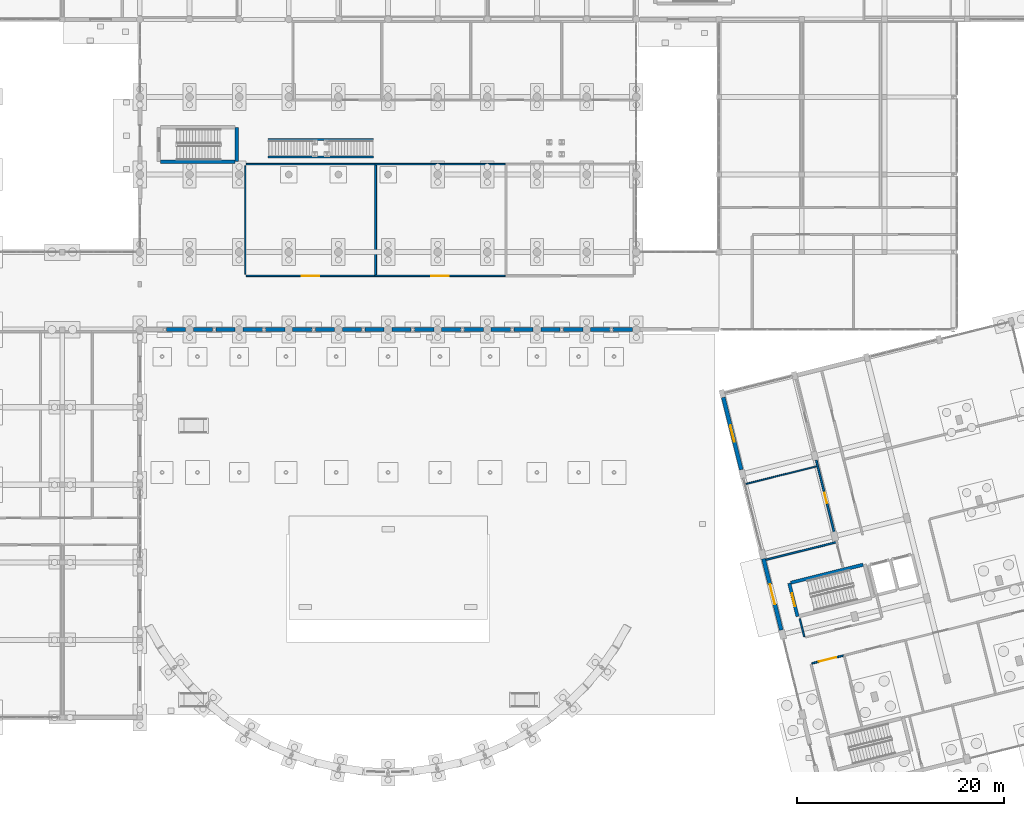
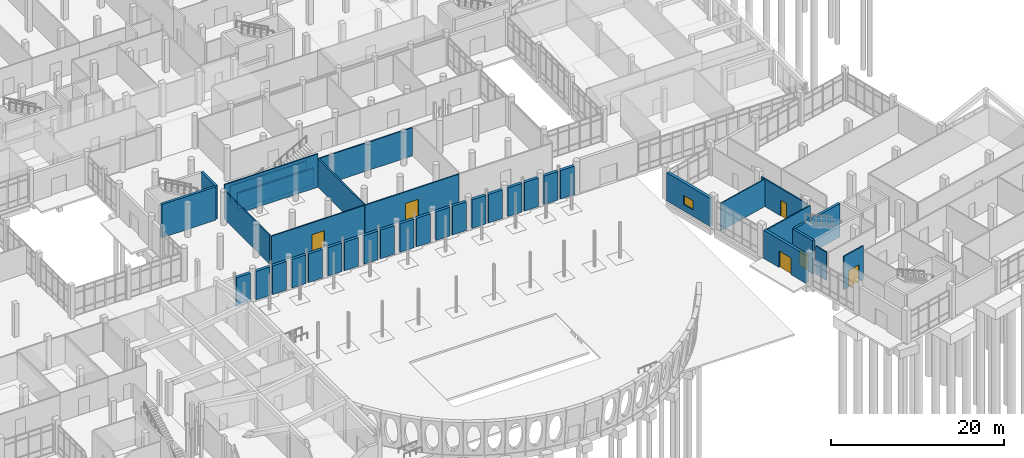
# One storey, part 152 of 173: 38 walls, 6 doors, 1 window, 7 openings.
"""IFC4 building model written with IfcOpenShell, lengths in metres."""

from ifc_helpers import new_model, si_unit, direction, frame, frame_2d, origin, place, context, subcontext, project, spatial, rectangle, extrude, material, layer, layer_set, type_object, element, fill, save


model = new_model("IFC4")

# Units and contexts
model_context = context("Model", 3, precision=1e-05, world=origin(), true_north=direction((0.0, 1.0)))
body_context = subcontext(model_context, "Body", "Model", "MODEL_VIEW")
ifc_project = project(units=[si_unit("LENGTHUNIT", "METRE"), si_unit("AREAUNIT", "SQUARE_METRE"), si_unit("VOLUMEUNIT", "CUBIC_METRE"), si_unit("PLANEANGLEUNIT", "RADIAN"), si_unit("MASSUNIT", "GRAM", prefix="KILO")], contexts=[model_context])

# Site, building, storey
site_placement = place(None, origin())
site = spatial("IfcSite", under=ifc_project, at=site_placement, CompositionType="ELEMENT")
building_placement = place(site_placement, origin())
building = spatial("IfcBuilding", under=site, at=building_placement, Name="Mawjan Specialist Oncology Clinic", CompositionType="ELEMENT")
storey_placement = place(building_placement, origin())
storey = spatial("IfcBuildingStorey", under=building, at=storey_placement, Name="L00", CompositionType="ELEMENT", Elevation=0.0)

# Walls
ifc_material_1 = material(Name="Precast concrete C40/50", Category="concrete")
ifc_layer_1 = layer(ifc_material_1, 0.3798828125, Name="Precast concrete C40/50", Category="concrete")
ifc_layer_set_1 = layer_set([ifc_layer_1], Name="Precast concrete C40/50")
wall_type_1 = type_object("IfcWallType", Name="EW-380", PredefinedType="SOLIDWALL", material=ifc_layer_set_1)
for number, where, z_axis, x_axis, name in (
    (1, (107.625, 45.800048828125, 0.0), (0.0, 0.0, 1.0), (-1.0, 0.0, 0.0), "L00 Coral-Limestone Exterior Wall EW-L00-035"),
    (2, (105.43798828125, 45.800048828125, 0.0), (0.0, 0.0, 1.0), (-1.0, 0.0, 0.0), "L00 Coral-Limestone Exterior Wall EW-L00-036"),
    (3, (102.824951171875, 45.800048828125, 0.0), (0.0, 0.0, 1.0), (-1.0, 0.0, 0.0), "L00 Coral-Limestone Exterior Wall EW-L00-037"),
    (4, (100.637939453125, 45.800048828125, 0.0), (0.0, 0.0, 1.0), (-1.0, 0.0, 0.0), "L00 Coral-Limestone Exterior Wall EW-L00-038"),
):
    element("IfcWall", number, at=place(storey_placement, frame(where, z_axis=z_axis, x_axis=x_axis)), inside=storey, type_object=wall_type_1, Name=name, PredefinedType="SOLIDWALL", context=body_context, shape_type="SweptSolid", body=[
        extrude(rectangle(XDim=1.863037109375, YDim=0.3798828125, at=frame_2d((0.931640625, 0.0))), origin(), (0.0, 0.0, 1.0), 4.034912109375),
    ])
for number, where, z_axis, x_axis, name in (
    (5, (98.02490234375, 45.800048828125, 0.0), (0.0, 0.0, 1.0), (-1.0, 0.0, 0.0), "L00 Coral-Limestone Exterior Wall EW-L00-039"),
    (6, (95.837890625, 45.800048828125, 0.0), (0.0, 0.0, 1.0), (-1.0, 0.0, 0.0), "L00 Coral-Limestone Exterior Wall EW-L00-040"),
):
    element("IfcWall", number, at=place(storey_placement, frame(where, z_axis=z_axis, x_axis=x_axis)), inside=storey, type_object=wall_type_1, Name=name, PredefinedType="SOLIDWALL", context=body_context, shape_type="SweptSolid", body=[
        extrude(rectangle(XDim=1.86279296875, YDim=0.3798828125, at=frame_2d((0.931396484375, 0.0))), origin(), (0.0, 0.0, 1.0), 4.034912109375),
    ])
for number, where, z_axis, x_axis, name in (
    (7, (93.22509765625, 45.800048828125, 0.0), (0.0, 0.0, 1.0), (-1.0, 0.0, 0.0), "L00 Coral-Limestone Exterior Wall EW-L00-041"),
    (8, (91.0380859375, 45.800048828125, 0.0), (0.0, 0.0, 1.0), (-1.0, 0.0, 0.0), "L00 Coral-Limestone Exterior Wall EW-L00-042"),
    (9, (88.425048828125, 45.800048828125, 0.0), (0.0, 0.0, 1.0), (-1.0, 0.0, 0.0), "L00 Coral-Limestone Exterior Wall EW-L00-043"),
    (10, (86.238037109375, 45.800048828125, 0.0), (0.0, 0.0, 1.0), (-1.0, 0.0, 0.0), "L00 Coral-Limestone Exterior Wall EW-L00-044"),
    (11, (83.625, 45.800048828125, 0.0), (0.0, 0.0, 1.0), (-1.0, 0.0, 0.0), "L00 Coral-Limestone Exterior Wall EW-L00-045"),
    (12, (81.43798828125, 45.800048828125, 0.0), (0.0, 0.0, 1.0), (-1.0, 0.0, 0.0), "L00 Coral-Limestone Exterior Wall EW-L00-046"),
    (13, (78.824951171875, 45.800048828125, 0.0), (0.0, 0.0, 1.0), (-1.0, 0.0, 0.0), "L00 Coral-Limestone Exterior Wall EW-L00-047"),
    (14, (76.637939453125, 45.800048828125, 0.0), (0.0, 0.0, 1.0), (-1.0, 0.0, 0.0), "L00 Coral-Limestone Exterior Wall EW-L00-048"),
    (15, (74.02490234375, 45.800048828125, 0.0), (0.0, 0.0, 1.0), (-1.0, 0.0, 0.0), "L00 Coral-Limestone Exterior Wall EW-L00-049"),
    (16, (71.838134765625, 45.800048828125, 0.0), (0.0, 0.0, 1.0), (-1.0, 0.0, 0.0), "L00 Coral-Limestone Exterior Wall EW-L00-050"),
    (17, (69.22509765625, 45.800048828125, 0.0), (0.0, 0.0, 1.0), (-1.0, 0.0, 0.0), "L00 Coral-Limestone Exterior Wall EW-L00-051"),
    (18, (67.0380859375, 45.800048828125, 0.0), (0.0, 0.0, 1.0), (-1.0, 0.0, 0.0), "L00 Coral-Limestone Exterior Wall EW-L00-052"),
    (19, (64.425048828125, 45.800048828125, 0.0), (0.0, 0.0, 1.0), (-1.0, 0.0, 0.0), "L00 Coral-Limestone Exterior Wall EW-L00-053"),
):
    element("IfcWall", number, at=place(storey_placement, frame(where, z_axis=z_axis, x_axis=x_axis)), inside=storey, type_object=wall_type_1, Name=name, PredefinedType="SOLIDWALL", context=body_context, shape_type="SweptSolid", body=[
        extrude(rectangle(XDim=1.863037109375, YDim=0.3798828125, at=frame_2d((0.931640625, 0.0))), origin(), (0.0, 0.0, 1.0), 4.034912109375),
    ])

# Wall, opening, door
wall_1_placement = place(storey_placement, frame((122.020263671875, 16.761474609375, 0.0), z_axis=(0.0, 0.0, 1.0), x_axis=(-0.241912563448, 0.970298052995, 0.0)))
wall_1 = element("IfcWall", 20, at=wall_1_placement, inside=storey, type_object=wall_type_1, Name="L00 Coral-Limestone Exterior Wall EW-L00-069", PredefinedType="SOLIDWALL", context=body_context, shape_type="SweptSolid", body=[
    extrude(rectangle(XDim=7.099853515625, YDim=0.3798828125, at=frame_2d((3.5498046875, 0.0))), origin(), (0.0, 0.0, 1.0), 3.985107421875),
])
opening_1_placement = place(wall_1_placement, frame((2.550048828125, 0.0, 0.0)))
opening_1 = element("IfcOpeningElement", 21, at=opening_1_placement, cuts=wall_1, Name="Opening DE-200", PredefinedType="OPENING", context=body_context, shape_type="SweptSolid", body=[
    extrude(rectangle(XDim=2.0, YDim=2.35009765625, at=frame_2d((1.0, 1.175048828125))), frame((0.0, 0.201904296875, 0.0), z_axis=(0.0, -1.0, 0.0), x_axis=(1.0, 0.0, 0.0)), (0.0, 0.0, 1.0), 0.40380859375),
])
ifc_material_2 = material(Name="Insulated marine-grade aluminium entrance assembly", Category="aluminium")
door_type_1 = type_object("IfcDoorType", Name="DE-200", OperationType="DOUBLE_DOOR_SINGLE_SWING", PredefinedType="DOOR", material=ifc_material_2)
door_1_placement = place(opening_1_placement, origin())
door_1 = element("IfcDoor", 22, at=door_1_placement, inside=storey, type_object=door_type_1, Name="Exit Stair ST-05 Final Exterior Discharge Door", OperationType="DOUBLE_DOOR_SINGLE_SWING", OverallHeight=2.35009765625, OverallWidth=2.0, PredefinedType="DOOR", context=body_context, shape_type="SweptSolid", body=[
    extrude(rectangle(XDim=2.0, YDim=2.35009765625, at=frame_2d((1.0, 1.175048828125))), frame((0.0, 0.02490234375, 0.0), z_axis=(0.0, -1.0, 0.0), x_axis=(1.0, 0.0, 0.0)), (0.0, 0.0, 1.0), 0.050048828125),
])
fill(opening_1, door_1)

# Wall, opening, window
wall_2_placement = place(storey_placement, frame((118.15576171875, 32.26171875, 0.0), z_axis=(0.0, 0.0, 1.0), x_axis=(-0.241929233735, 0.970293896644, 0.0)))
wall_2 = element("IfcWall", 23, at=wall_2_placement, inside=storey, type_object=wall_type_1, Name="L00 Coral-Limestone Exterior Wall EW-L00-070", PredefinedType="SOLIDWALL", context=body_context, shape_type="SweptSolid", body=[
    extrude(rectangle(XDim=7.2001953125, YDim=0.3798828125, at=frame_2d((3.60009765625, 0.0))), origin(), (0.0, 0.0, 1.0), 3.985107421875),
])
opening_2_placement = place(wall_2_placement, frame((2.800048828125, 0.0, 0.89990234375)))
opening_2 = element("IfcOpeningElement", 24, at=opening_2_placement, cuts=wall_2, Name="Opening WN-17", PredefinedType="OPENING", context=body_context, shape_type="SweptSolid", body=[
    extrude(rectangle(XDim=1.60009765625, YDim=1.300048828125, at=frame_2d((0.800048828125, 0.64990234375))), frame((0.0, 0.201904296875, 0.0), z_axis=(0.0, -1.0, 0.0), x_axis=(1.0, 0.0, 0.0)), (0.0, 0.0, 1.0), 0.40380859375),
])
ifc_material_3 = material(Name="Thermally broken low-E clinical aluminium window", Category="aluminium")
window_type = type_object("IfcWindowType", Name="WN-17", PartitioningType="DOUBLE_PANEL_VERTICAL", PredefinedType="WINDOW", material=ifc_material_3)
window_placement = place(opening_2_placement, origin())
window = element("IfcWindow", 25, at=window_placement, inside=storey, type_object=window_type, Name="L00 Clinical Low-E Window 009", OverallHeight=1.300048828125, OverallWidth=1.60009765625, PartitioningType="DOUBLE_PANEL_VERTICAL", PredefinedType="WINDOW", context=body_context, shape_type="SweptSolid", body=[
    extrude(rectangle(XDim=1.60009765625, YDim=1.300048828125, at=frame_2d((0.800048828125, 0.64990234375))), frame((0.0, 0.030029296875, 0.0), z_axis=(0.0, -1.0, 0.0), x_axis=(1.0, 0.0, 0.0)), (0.0, 0.0, 1.0), 0.06005859375),
])
fill(opening_2, window)

# Wall
ifc_material_4 = material(Name="Concrete C45/55", Category="concrete")
ifc_layer_2 = layer(ifc_material_4, 0.320068359375, Name="Concrete C45/55", Category="concrete")
ifc_layer_set_2 = layer_set([ifc_layer_2], Name="Concrete C45/55")
wall_type_2 = type_object("IfcWallType", Name="SW-350", PredefinedType="SHEAR", material=ifc_layer_set_2)
wall_3_placement = place(storey_placement, frame((129.923828125, 23.07080078125, 0.0), z_axis=(0.0, 0.0, 1.0), x_axis=(-0.970294108333, -0.241928384724, 0.0)))
element("IfcWall", 26, at=wall_3_placement, inside=storey, type_object=wall_type_2, Name="L00 Core K5 Stair Shear Wall 3", PredefinedType="SHEAR", context=body_context, shape_type="SweptSolid", body=[
    extrude(rectangle(XDim=7.190185546875, YDim=0.320068359375, at=frame_2d((3.59521484375, 0.0))), origin(), (0.0, 0.0, 1.0), 4.699951171875),
])

# Wall, opening, door
wall_4_placement = place(storey_placement, frame((122.787353515625, 21.29150390625, 0.0), z_axis=(0.0, 0.0, 1.0), x_axis=(0.241860763027, -0.970310966293, 0.0)))
wall_4 = element("IfcWall", 27, at=wall_4_placement, inside=storey, type_object=wall_type_2, Name="L00 Core K5 Stair Shear Wall 4", PredefinedType="SHEAR", context=body_context, shape_type="SweptSolid", body=[
    extrude(rectangle(XDim=3.320068359375, YDim=0.320068359375, at=frame_2d((1.66015625, 0.0))), origin(), (0.0, 0.0, 1.0), 4.699951171875),
])
opening_3_placement = place(wall_4_placement, frame((1.034912109375, 0.0, 0.0)))
opening_3 = element("IfcOpeningElement", 28, at=opening_3_placement, cuts=wall_4, Name="Opening FD-90W", PredefinedType="OPENING", context=body_context, shape_type="SweptSolid", body=[
    extrude(rectangle(XDim=1.25, YDim=2.199951171875, at=frame_2d((0.625, 1.10009765625))), frame((0.0, 0.172119140625, 0.0), z_axis=(0.0, -1.0, 0.0), x_axis=(1.0, 0.0, 0.0)), (0.0, 0.0, 1.0), 0.343994140625),
])
ifc_material_5 = material(Name="Stainless-steel fire-rated hospital door", Category="steel")
door_type_2 = type_object("IfcDoorType", Name="FD-90W", OperationType="NOTDEFINED", PredefinedType="DOOR", material=ifc_material_5)
door_2_placement = place(opening_3_placement, origin())
door_2 = element("IfcDoor", 29, at=door_2_placement, inside=storey, type_object=door_type_2, Name="L00 ST-05 Fire Exit Stair Door", OperationType="SINGLE_SWING_LEFT", OverallHeight=2.199951171875, OverallWidth=1.25, PredefinedType="DOOR", context=body_context, shape_type="SweptSolid", body=[
    extrude(rectangle(XDim=1.25, YDim=2.199951171875, at=frame_2d((0.625, 1.10009765625))), frame((0.0, 0.02490234375, 0.0), z_axis=(0.0, -1.0, 0.0), x_axis=(1.0, 0.0, 0.0)), (0.0, 0.0, 1.0), 0.050048828125),
])
fill(opening_3, door_2)

# Walls
wall_5_placement = place(storey_placement, frame((62.0048828125, 62.0400390625, 0.0), z_axis=(0.0, 0.0, 1.0), x_axis=(1.0, 0.0, 0.0)))
element("IfcWall", 30, at=wall_5_placement, inside=storey, type_object=wall_type_2, Name="L00 Core K7 Stair Shear Wall 1", PredefinedType="SHEAR", context=body_context, shape_type="SweptSolid", body=[
    extrude(rectangle(XDim=7.190185546875, YDim=0.320068359375, at=frame_2d((3.59521484375, 0.0))), origin(), (0.0, 0.0, 1.0), 4.699951171875),
])
wall_6_placement = place(storey_placement, frame((69.360107421875, 62.0400390625, 0.0), z_axis=(0.0, 0.0, 1.0), x_axis=(0.0, 1.0, 0.0)))
element("IfcWall", 31, at=wall_6_placement, inside=storey, type_object=wall_type_2, Name="L00 Core K7 Stair Shear Wall 2", PredefinedType="SHEAR", context=body_context, shape_type="SweptSolid", body=[
    extrude(rectangle(XDim=3.320068359375, YDim=0.320068359375, at=frame_2d((1.66015625, 0.0))), origin(), (0.0, 0.0, 1.0), 4.699951171875),
])
ifc_material_6 = material(Name="Moisture-resistant washroom partition", Category="gypsum")
ifc_layer_3 = layer(ifc_material_6, 0.125, Name="Moisture-resistant washroom partition", Category="gypsum")
ifc_layer_set_3 = layer_set([ifc_layer_3], Name="Moisture-resistant washroom partition")
wall_type_3 = type_object("IfcWallType", Name="WP-125", PredefinedType="PARTITIONING", material=ifc_layer_set_3)
wall_7_placement = place(storey_placement, frame((70.199951171875, 51.1650390625, 0.0), z_axis=(0.0, 0.0, 1.0), x_axis=(0.0, 1.0, 0.0)))
element("IfcWall", 32, at=wall_7_placement, inside=storey, type_object=wall_type_3, Name="L00 Interior Partition W-INT-L00-H05-D0", PredefinedType="PARTITIONING", context=body_context, shape_type="SweptSolid", body=[
    extrude(rectangle(XDim=10.469970703125, YDim=0.125, at=frame_2d((5.23486328125, 0.0))), origin(), (0.0, 0.0, 1.0), 4.0849609375),
])
wall_8_placement = place(storey_placement, frame((118.60400390625, 30.88525390625, 0.0), z_axis=(0.0, 0.0, 1.0), x_axis=(0.970295173711, 0.241924111804, 0.0)))
element("IfcWall", 33, at=wall_8_placement, inside=storey, type_object=wall_type_3, Name="L00 Interior Partition W-RINT-L00-RNW1-N", PredefinedType="PARTITIONING", context=body_context, shape_type="SweptSolid", body=[
    extrude(rectangle(XDim=7.0458984375, YDim=0.125, at=frame_2d((3.52294921875, 0.0))), origin(), (0.0, 0.0, 1.0), 3.885009765625),
])

# Wall, opening, door
ifc_material_7 = material(Name="Acoustic gypsum clinical partition", Category="gypsum")
ifc_layer_4 = layer(ifc_material_7, 0.14990234375, Name="Acoustic gypsum clinical partition", Category="gypsum")
ifc_layer_set_4 = layer_set([ifc_layer_4], Name="Acoustic gypsum clinical partition")
wall_type_4 = type_object("IfcWallType", Name="WP-150", PredefinedType="PARTITIONING", material=ifc_layer_set_4)
wall_9_placement = place(storey_placement, frame((82.72705078125, 51.0, 0.0), z_axis=(0.0, 0.0, 1.0), x_axis=(1.0, 0.0, 0.0)))
wall_9 = element("IfcWall", 34, at=wall_9_placement, inside=storey, type_object=wall_type_4, Name="L00 Interior Partition W-INT-L00-H06-C", PredefinedType="PARTITIONING", context=body_context, shape_type="SweptSolid", body=[
    extrude(rectangle(XDim=12.587890625, YDim=0.14990234375, at=frame_2d((6.2939453125, 0.0))), origin(), (0.0, 0.0, 1.0), 3.985107421875),
])
opening_4_placement = place(wall_9_placement, frame((5.43408203125, 0.0, 0.0)))
opening_4 = element("IfcOpeningElement", 35, at=opening_4_placement, cuts=wall_9, Name="Opening DC-172", PredefinedType="OPENING", context=body_context, shape_type="SweptSolid", body=[
    extrude(rectangle(XDim=1.719970703125, YDim=2.340087890625, at=frame_2d((0.85986328125, 1.169921875))), frame((0.0, 0.0869140625, 0.0), z_axis=(0.0, -1.0, 0.0), x_axis=(1.0, 0.0, 0.0)), (0.0, 0.0, 1.0), 0.173828125),
])
ifc_material_8 = material(Name="Acoustic laminate hospital door leaf", Category="wood")
door_type_3 = type_object("IfcDoorType", Name="DC-172", OperationType="NOTDEFINED", PredefinedType="DOOR", material=ifc_material_8)
door_3_placement = place(opening_4_placement, origin())
door_3 = element("IfcDoor", 36, at=door_3_placement, inside=storey, type_object=door_type_3, Name="L00 Apheresis Treatment Room Door", OperationType="SINGLE_SWING_RIGHT", OverallHeight=2.340087890625, OverallWidth=1.719970703125, PredefinedType="DOOR", context=body_context, shape_type="SweptSolid", body=[
    extrude(rectangle(XDim=1.719970703125, YDim=2.340087890625, at=frame_2d((0.85986328125, 1.169921875))), frame((0.0, 0.02490234375, 0.0), z_axis=(0.0, -1.0, 0.0), x_axis=(1.0, 0.0, 0.0)), (0.0, 0.0, 1.0), 0.050048828125),
])
fill(opening_4, door_3)

# Walls
wall_10_placement = place(storey_placement, frame((70.284912109375, 61.800048828125, 0.0), z_axis=(0.0, 0.0, 1.0), x_axis=(1.0, 0.0, 0.0)))
element("IfcWall", 37, at=wall_10_placement, inside=storey, type_object=wall_type_4, Name="L00 Interior Partition W-INT-L00-H05-R", PredefinedType="PARTITIONING", context=body_context, shape_type="SweptSolid", body=[
    extrude(rectangle(XDim=12.43017578125, YDim=0.14990234375, at=frame_2d((6.215087890625, 0.0))), origin(), (0.0, 0.0, 1.0), 4.699951171875),
])
wall_11_placement = place(storey_placement, frame((82.72705078125, 61.800048828125, 0.0), z_axis=(0.0, 0.0, 1.0), x_axis=(1.0, 0.0, 0.0)))
element("IfcWall", 38, at=wall_11_placement, inside=storey, type_object=wall_type_4, Name="L00 Interior Partition W-INT-L00-H06-R", PredefinedType="PARTITIONING", context=body_context, shape_type="SweptSolid", body=[
    extrude(rectangle(XDim=12.587890625, YDim=0.14990234375, at=frame_2d((6.2939453125, 0.0))), origin(), (0.0, 0.0, 1.0), 3.985107421875),
])
wall_12_placement = place(storey_placement, frame((124.242919921875, 16.11474609375, 0.0), z_axis=(0.0, 0.0, 1.0), x_axis=(-0.24202255973, 0.970270622343, 0.0)))
element("IfcWall", 39, at=wall_12_placement, inside=storey, type_object=wall_type_4, Name="L00 Interior Partition W-RINT-L00-RKS-W", PredefinedType="PARTITIONING", context=body_context, shape_type="SweptSolid", body=[
    extrude(rectangle(XDim=1.79150390625, YDim=0.14990234375, at=frame_2d((0.895751953125, 0.0))), origin(), (0.0, 0.0, 1.0), 3.985107421875),
])

# Wall, opening, door
ifc_material_9 = material(Name="Acoustic clinical twin-stud partition", Category="gypsum")
ifc_layer_5 = layer(ifc_material_9, 0.159912109375, Name="Acoustic clinical twin-stud partition", Category="gypsum")
ifc_layer_set_5 = layer_set([ifc_layer_5], Name="Acoustic clinical twin-stud partition")
wall_type_5 = type_object("IfcWallType", Name="WP-160", PredefinedType="PARTITIONING", material=ifc_layer_set_5)
wall_13_placement = place(storey_placement, frame((70.284912109375, 51.0, 0.0), z_axis=(0.0, 0.0, 1.0), x_axis=(1.0, 0.0, 0.0)))
wall_13 = element("IfcWall", 40, at=wall_13_placement, inside=storey, type_object=wall_type_5, Name="L00 Interior Partition W-INT-L00-H05-C", PredefinedType="PARTITIONING", context=body_context, shape_type="SweptSolid", body=[
    extrude(rectangle(XDim=12.43017578125, YDim=0.159912109375, at=frame_2d((6.215087890625, 0.0))), origin(), (0.0, 0.0, 1.0), 3.985107421875),
])
opening_5_placement = place(wall_13_placement, frame((5.389892578125, 0.0, 0.0)))
opening_5 = element("IfcOpeningElement", 41, at=opening_5_placement, cuts=wall_13, Name="Opening DC-165", PredefinedType="OPENING", context=body_context, shape_type="SweptSolid", body=[
    extrude(rectangle(XDim=1.64990234375, YDim=2.320068359375, at=frame_2d((0.824951171875, 1.16015625))), frame((0.0, 0.092041015625, 0.0), z_axis=(0.0, -1.0, 0.0), x_axis=(1.0, 0.0, 0.0)), (0.0, 0.0, 1.0), 0.183837890625),
])
ifc_material_10 = material(Name="Acoustic laminate hospital door leaf", Category="wood")
door_type_4 = type_object("IfcDoorType", Name="DC-165", OperationType="NOTDEFINED", PredefinedType="DOOR", material=ifc_material_10)
door_4_placement = place(opening_5_placement, origin())
door_4 = element("IfcDoor", 42, at=door_4_placement, inside=storey, type_object=door_type_4, Name="L00 Infusion Patient Triage Suite Door", OperationType="SINGLE_SWING_LEFT", OverallHeight=2.320068359375, OverallWidth=1.64990234375, PredefinedType="DOOR", context=body_context, shape_type="SweptSolid", body=[
    extrude(rectangle(XDim=1.64990234375, YDim=2.320068359375, at=frame_2d((0.824951171875, 1.16015625))), frame((0.0, 0.02490234375, 0.0), z_axis=(0.0, -1.0, 0.0), x_axis=(1.0, 0.0, 0.0)), (0.0, 0.0, 1.0), 0.050048828125),
])
fill(opening_5, door_4)

wall_14_placement = place(storey_placement, frame((124.974853515625, 13.530029296875, 0.0), z_axis=(0.0, 0.0, 1.0), x_axis=(0.970289141252, 0.241948305158, 0.0)))
wall_14 = element("IfcWall", 43, at=wall_14_placement, inside=storey, type_object=wall_type_5, Name="L00 Interior Partition W-RINT-L00-RAS1-N", PredefinedType="PARTITIONING", context=body_context, shape_type="SweptSolid", body=[
    extrude(rectangle(XDim=3.130126953125, YDim=0.159912109375, at=frame_2d((1.56494140625, 0.0))), origin(), (0.0, 0.0, 1.0), 4.699951171875),
])
opening_6_placement = place(wall_14_placement, frame((0.705078125, 0.0, 0.0)))
opening_6 = element("IfcOpeningElement", 44, at=opening_6_placement, cuts=wall_14, Name="Opening DC-172", PredefinedType="OPENING", context=body_context, shape_type="SweptSolid", body=[
    extrude(rectangle(XDim=1.719970703125, YDim=2.340087890625, at=frame_2d((0.85986328125, 1.169921875))), frame((0.0, 0.092041015625, 0.0), z_axis=(0.0, -1.0, 0.0), x_axis=(1.0, 0.0, 0.0)), (0.0, 0.0, 1.0), 0.183837890625),
])
door_5_placement = place(opening_6_placement, origin())
door_5 = element("IfcDoor", 45, at=door_5_placement, inside=storey, type_object=door_type_3, Name="L00 Accessible Toilet Door", OperationType="SINGLE_SWING_RIGHT", OverallHeight=2.340087890625, OverallWidth=1.719970703125, PredefinedType="DOOR", context=body_context, shape_type="SweptSolid", body=[
    extrude(rectangle(XDim=1.719970703125, YDim=2.340087890625, at=frame_2d((0.85986328125, 1.169921875))), frame((0.0, 0.02490234375, 0.0), z_axis=(0.0, -1.0, 0.0), x_axis=(1.0, 0.0, 0.0)), (0.0, 0.0, 1.0), 0.050048828125),
])
fill(opening_6, door_5)

# Wall
wall_15_placement = place(storey_placement, frame((120.534912109375, 23.5537109375, 0.0), z_axis=(0.0, 0.0, 1.0), x_axis=(0.970294973208, 0.241924915969, 0.0)))
element("IfcWall", 46, at=wall_15_placement, inside=storey, type_object=wall_type_5, Name="L00 Interior Partition W-RINT-L00-RWN-N", PredefinedType="PARTITIONING", context=body_context, shape_type="SweptSolid", body=[
    extrude(rectangle(XDim=6.961181640625, YDim=0.159912109375, at=frame_2d((3.48046875, 0.0))), origin(), (0.0, 0.0, 1.0), 3.985107421875),
])

# Wall, opening, door
ifc_material_11 = material(Name="Lead-lined radiation-shielded clinical partition", Category="gypsum")
ifc_layer_6 = layer(ifc_material_11, 0.179931640625, Name="Lead-lined radiation-shielded clinical partition", Category="gypsum")
ifc_layer_set_6 = layer_set([ifc_layer_6], Name="Lead-lined radiation-shielded clinical partition")
wall_type_6 = type_object("IfcWallType", Name="WP-180", PredefinedType="PARTITIONING", material=ifc_layer_set_6)
wall_16_placement = place(storey_placement, frame((127.22119140625, 25.8701171875, 0.0), z_axis=(0.0, 0.0, 1.0), x_axis=(-0.241902639837, 0.970300527074, 0.0)))
wall_16 = element("IfcWall", 47, at=wall_16_placement, inside=storey, type_object=wall_type_6, Name="L00 Interior Partition W-RINT-L00-RNW1-E", PredefinedType="PARTITIONING", context=body_context, shape_type="SweptSolid", body=[
    extrude(rectangle(XDim=7.532958984375, YDim=0.179931640625, at=frame_2d((3.7666015625, 0.0))), origin(), (0.0, 0.0, 1.0), 3.885009765625),
])
opening_7_placement = place(wall_16_placement, frame((3.2666015625, 0.0, 0.0)))
opening_7 = element("IfcOpeningElement", 48, at=opening_7_placement, cuts=wall_16, Name="Opening DA-100", PredefinedType="OPENING", context=body_context, shape_type="SweptSolid", body=[
    extrude(rectangle(XDim=1.0, YDim=2.219970703125, at=frame_2d((0.5, 1.10986328125))), frame((0.0, 0.10205078125, 0.0), z_axis=(0.0, -1.0, 0.0), x_axis=(1.0, 0.0, 0.0)), (0.0, 0.0, 1.0), 0.203857421875),
])
ifc_material_12 = material(Name="Acoustic laminate hospital door leaf", Category="wood")
door_type_5 = type_object("IfcDoorType", Name="DA-100", OperationType="NOTDEFINED", PredefinedType="DOOR", material=ifc_material_12)
door_6_placement = place(opening_7_placement, origin())
door_6 = element("IfcDoor", 49, at=door_6_placement, inside=storey, type_object=door_type_5, Name="L00 Cancer Genomics Dry Laboratory Door", OperationType="SINGLE_SWING_LEFT", OverallHeight=2.219970703125, OverallWidth=1.0, PredefinedType="DOOR", context=body_context, shape_type="SweptSolid", body=[
    extrude(rectangle(XDim=1.0, YDim=2.219970703125, at=frame_2d((0.5, 1.10986328125))), frame((0.0, 0.02490234375, 0.0), z_axis=(0.0, -1.0, 0.0), x_axis=(1.0, 0.0, 0.0)), (0.0, 0.0, 1.0), 0.050048828125),
])
fill(opening_7, door_6)

# Walls
wall_17_placement = place(storey_placement, frame((82.800048828125, 51.0869140625, 0.0), z_axis=(0.0, 0.0, 1.0), x_axis=(0.0, 1.0, 0.0)))
element("IfcWall", 50, at=wall_17_placement, inside=storey, type_object=wall_type_6, Name="L00 Interior Partition W-INT-L00-H05-D", PredefinedType="PARTITIONING", context=body_context, shape_type="SweptSolid", body=[
    extrude(rectangle(XDim=10.6259765625, YDim=0.179931640625, at=frame_2d((5.31298828125, 0.0))), origin(), (0.0, 0.0, 1.0), 4.034912109375),
])
ifc_material_13 = material(Name="Insulated fire-rated gypsum stud partition", Category="gypsum")
ifc_layer_7 = layer(ifc_material_13, 0.199951171875, Name="Insulated fire-rated gypsum stud partition", Category="gypsum")
ifc_layer_set_7 = layer_set([ifc_layer_7], Name="Insulated fire-rated gypsum stud partition")
wall_type_7 = type_object("IfcWallType", Name="WS-60", PredefinedType="PARTITIONING", material=ifc_layer_set_7)
for number, where, z_axis, x_axis, name in (
    (51, (72.39990234375, 62.5048828125, 0.0), (0.0, 0.0, 1.0), (1.0, 0.0, 0.0), "ST-09 Communicating Stair Flank Wall S"),
    (52, (72.39990234375, 64.195068359375, 0.0), (0.0, 0.0, 1.0), (1.0, 0.0, 0.0), "ST-09 Communicating Stair Flank Wall N"),
):
    element("IfcWall", number, at=place(storey_placement, frame(where, z_axis=z_axis, x_axis=x_axis)), inside=storey, type_object=wall_type_7, Name=name, PredefinedType="PARTITIONING", context=body_context, shape_type="SweptSolid", body=[
        extrude(rectangle(XDim=10.2001953125, YDim=0.199951171875, at=frame_2d((5.10009765625, 0.0))), origin(), (0.0, 0.0, 1.0), 2.300048828125),
    ])

save(model, "model.ifc")
